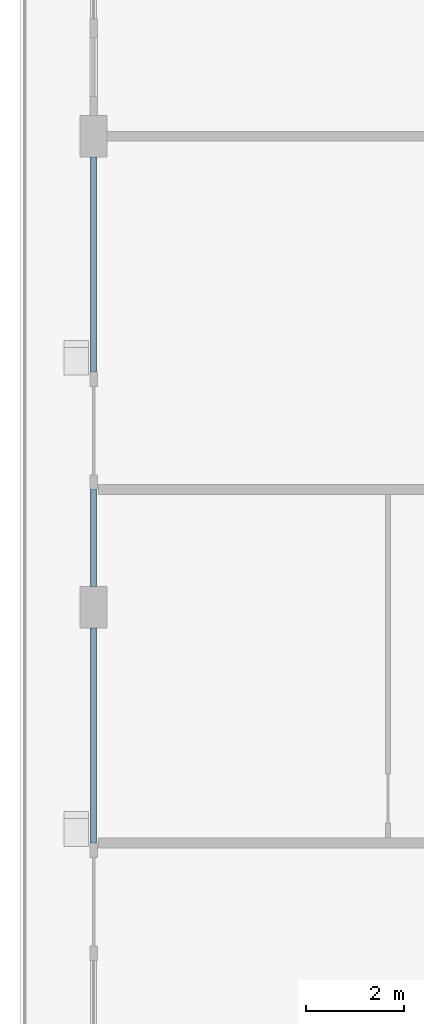
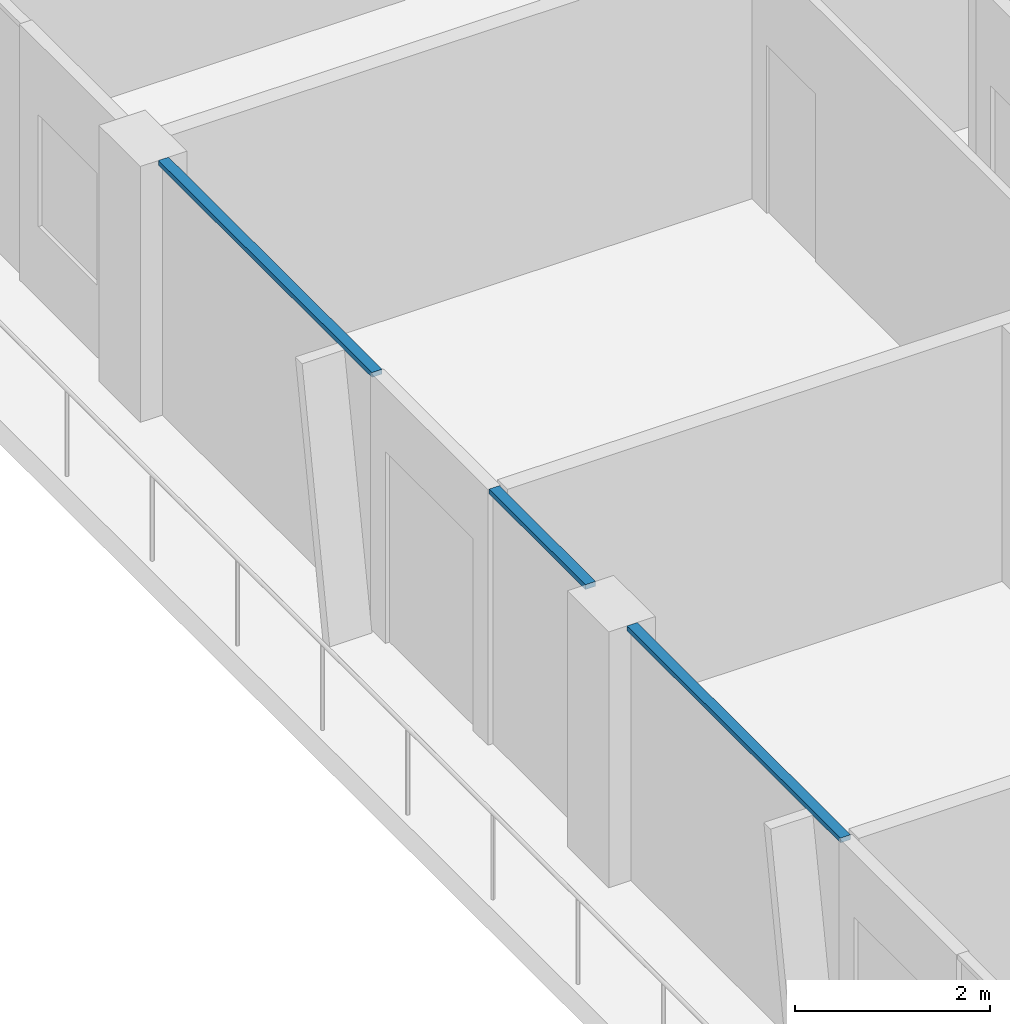
# One storey, part 3 of 22: 3 members, 2 elements without a shape of their own.
"""IFC4 building model written with IfcOpenShell, lengths in metres."""

from ifc_helpers import new_model, si_unit, direction, frame, origin, origin_2d, place, context, subcontext, project, spatial, rectangle, extrude, material, layer, layer_set, material_profile, profile_set, type_object, element, aggregate, save


model = new_model("IFC4")

# Units and contexts
model_context = context("Model", 3, precision=1e-05, world=origin(), true_north=direction((0.0, 1.0)))
body_context = subcontext(model_context, "Body", "Model", "MODEL_VIEW")
ifc_project = project(units=[si_unit("LENGTHUNIT", "METRE"), si_unit("AREAUNIT", "SQUARE_METRE"), si_unit("VOLUMEUNIT", "CUBIC_METRE"), si_unit("PLANEANGLEUNIT", "RADIAN"), si_unit("MASSUNIT", "GRAM", prefix="KILO")], contexts=[model_context])

# Site, building, storey
site_placement = place(None, origin())
site = spatial("IfcSite", under=ifc_project, at=site_placement, CompositionType="ELEMENT")
building_placement = place(site_placement, origin())
building = spatial("IfcBuilding", under=site, at=building_placement, Name="Madar Terraces", CompositionType="ELEMENT")
storey_placement = place(building_placement, frame((0.0, 0.0, 256.199951171875)))
storey = spatial("IfcBuildingStorey", under=building, at=storey_placement, Name="L67", CompositionType="ELEMENT", Elevation=256.199951171875)

# Curtain wall, members
ifc_material_1 = material(Name="Glass, ceramic frit dark grey, with black aluminium frame", Category="aluminium")
ifc_layer = layer(ifc_material_1, 0.199951171875)
ifc_layer_set = layer_set([ifc_layer], Name="Facade curtain wall, fritted glass")
curtain_wall_type = type_object("IfcCurtainWallType", Name="Facade curtain wall, fritted glass", PredefinedType="NOTDEFINED", material=ifc_layer_set)
curtain_wall_1_placement = place(storey_placement, origin())
curtain_wall_1 = element("IfcCurtainWall", 1, at=curtain_wall_1_placement, inside=storey, type_object=curtain_wall_type, Name="Outer skin curtain wall west bay 2", PredefinedType="NOTDEFINED")
ifc_material_2 = material(Name="Aluminium, black anodised", Category="aluminium")
ifc_material_profile = material_profile(ifc_material_2, rectangle(XDim=0.1201171875, YDim=0.06005859375, at=origin_2d()), Name="Facade transom 60x120")
ifc_profile_set = profile_set([ifc_material_profile], Name="Aluminium, black anodised")
member_type = type_object("IfcMemberType", Name="Facade transom 60x120", PredefinedType="USERDEFINED", material=ifc_profile_set)
member_1_placement = place(storey_placement, frame((0.0, 37.97509765625, 3.170166015625), z_axis=(0.0, -1.0, 0.0), x_axis=(1.0, 0.0, 0.0)))
member_1 = element("IfcMember", 2, at=member_1_placement, type_object=member_type, Name="Transom 1", ObjectType="TRANSOM", PredefinedType="USERDEFINED", context=body_context, shape_type="SweptSolid", body=[
    extrude(rectangle(XDim=0.1201171875, YDim=0.06005859375, at=origin_2d()), origin(), (0.0, 0.0, 1.0), 4.375),
])
member_2_placement = place(storey_placement, frame((0.0, 31.199951171875, 3.170166015625), z_axis=(0.0, -1.0, 0.0), x_axis=(1.0, 0.0, 0.0)))
member_2 = element("IfcMember", 3, at=member_2_placement, type_object=member_type, Name="Transom 2", ObjectType="TRANSOM", PredefinedType="USERDEFINED", context=body_context, shape_type="SweptSolid", body=[
    extrude(rectangle(XDim=0.1201171875, YDim=0.06005859375, at=origin_2d()), origin(), (0.0, 0.0, 1.0), 1.974853515625),
])
aggregate(curtain_wall_1, [member_1, member_2])

# Curtain wall, member
curtain_wall_2_placement = place(storey_placement, origin())
curtain_wall_2 = element("IfcCurtainWall", 4, at=curtain_wall_2_placement, inside=storey, type_object=curtain_wall_type, Name="Outer skin curtain wall west bay 3", PredefinedType="NOTDEFINED")
member_3_placement = place(storey_placement, frame((0.0, 28.375, 3.170166015625), z_axis=(0.0, -1.0, 0.0), x_axis=(1.0, 0.0, 0.0)))
member_3 = element("IfcMember", 5, at=member_3_placement, type_object=member_type, Name="Transom 1", ObjectType="TRANSOM", PredefinedType="USERDEFINED", context=body_context, shape_type="SweptSolid", body=[
    extrude(rectangle(XDim=0.1201171875, YDim=0.06005859375, at=origin_2d()), origin(), (0.0, 0.0, 1.0), 4.375),
])
aggregate(curtain_wall_2, [member_3])

save(model, "model.ifc")
